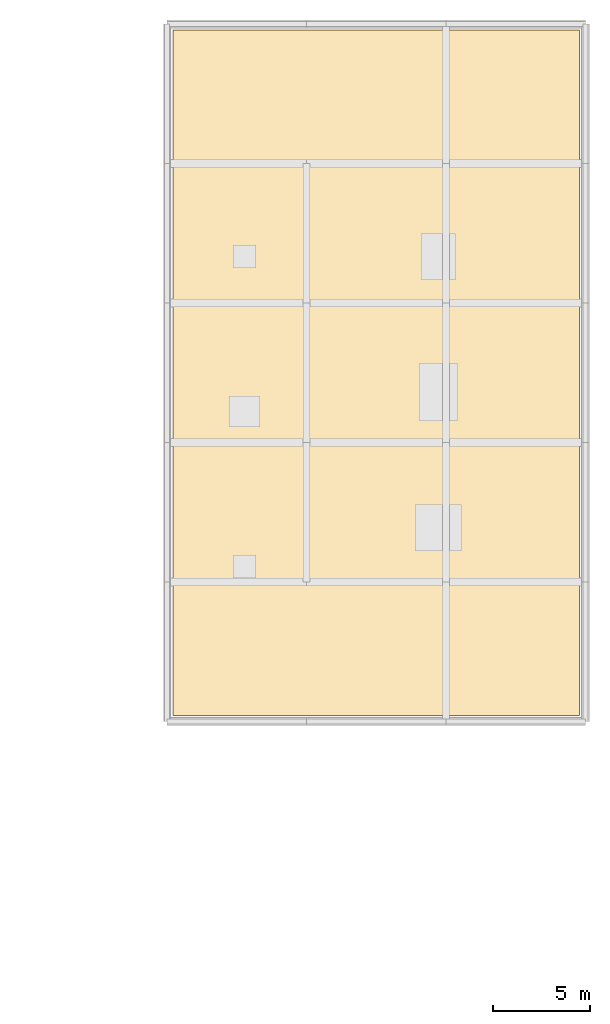
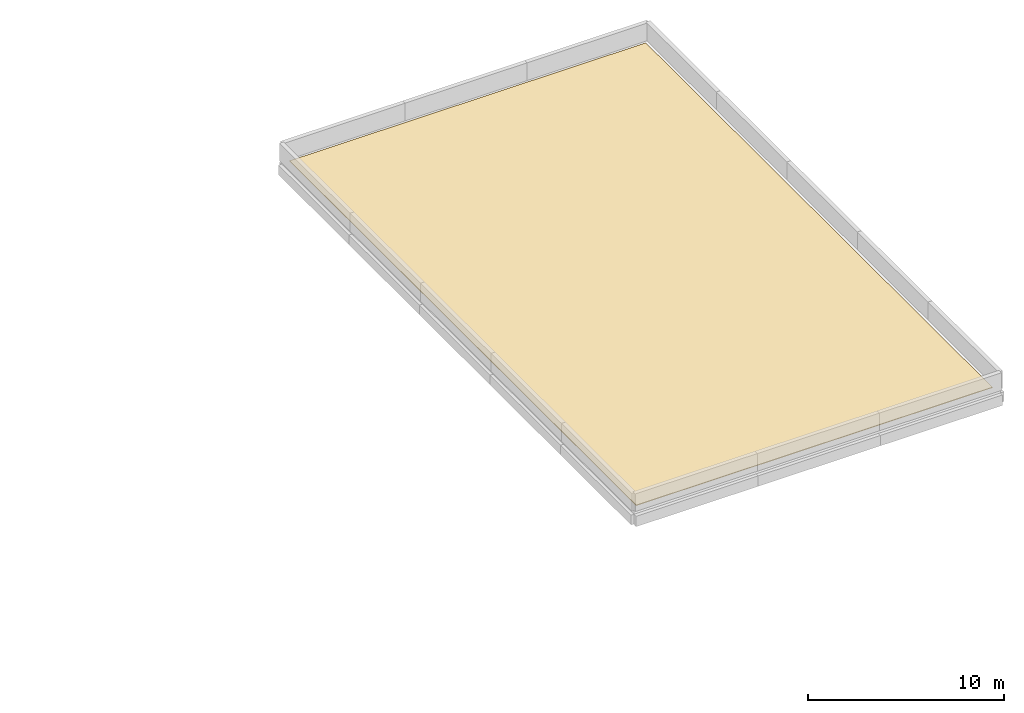
# One storey, part 18 of 18: 1 covering.
"""IFC4 building model written with IfcOpenShell, lengths in metres."""

from ifc_helpers import new_model, si_unit, direction, frame, origin, place, context, subcontext, project, spatial, polyline, outline, extrude, material, layer, layer_set, type_object, element, save


model = new_model("IFC4")

# Units and contexts
model_context = context("Model", 3, precision=1e-05, world=origin(), true_north=direction((0.0, 1.0)))
body_context = subcontext(model_context, "Body", "Model", "MODEL_VIEW")
ifc_project = project(units=[si_unit("LENGTHUNIT", "METRE"), si_unit("AREAUNIT", "SQUARE_METRE"), si_unit("VOLUMEUNIT", "CUBIC_METRE"), si_unit("PLANEANGLEUNIT", "RADIAN"), si_unit("MASSUNIT", "GRAM", prefix="KILO")], contexts=[model_context])

# Site, building, storey
site_placement = place(None, origin())
site = spatial("IfcSite", under=ifc_project, at=site_placement, CompositionType="ELEMENT")
building_placement = place(site_placement, origin())
building = spatial("IfcBuilding", under=site, at=building_placement, Name="Zornivar Specialist Clinic", CompositionType="ELEMENT")
storey_placement = place(building_placement, frame((0.0, 0.0, 23.39990234375)))
storey = spatial("IfcBuildingStorey", under=building, at=storey_placement, Name="L06", CompositionType="ELEMENT", Elevation=23.39990234375)

# Covering
ifc_material = material(Name="Standing-Seam Pre-Weathered Zinc Roofing")
ifc_layer = layer(ifc_material, 0.0400390625)
ifc_layer_set = layer_set([ifc_layer], Name="Standing-Seam Pre-Weathered Zinc Roofing")
covering_type = type_object("IfcCoveringType", Name="COV-ROOF-ZINC-40", PredefinedType="ROOFING", material=ifc_layer_set)
covering_placement = place(storey_placement, origin())
element("IfcCovering", 1, at=covering_placement, inside=storey, type_object=covering_type, Name="cov:V6:L06:roof", PredefinedType="ROOFING", context=body_context, shape_type="SweptSolid", body=[
    extrude(outline(polyline([(144.300048828125, 72.300048828125), (165.300048828125, 72.300048828125), (165.300048828125, 107.699951171875), (144.300048828125, 107.699951171875), (144.300048828125, 72.300048828125)])), origin(), (0.0, 0.0, 1.0), 0.0400390625),
])

save(model, "model.ifc")
